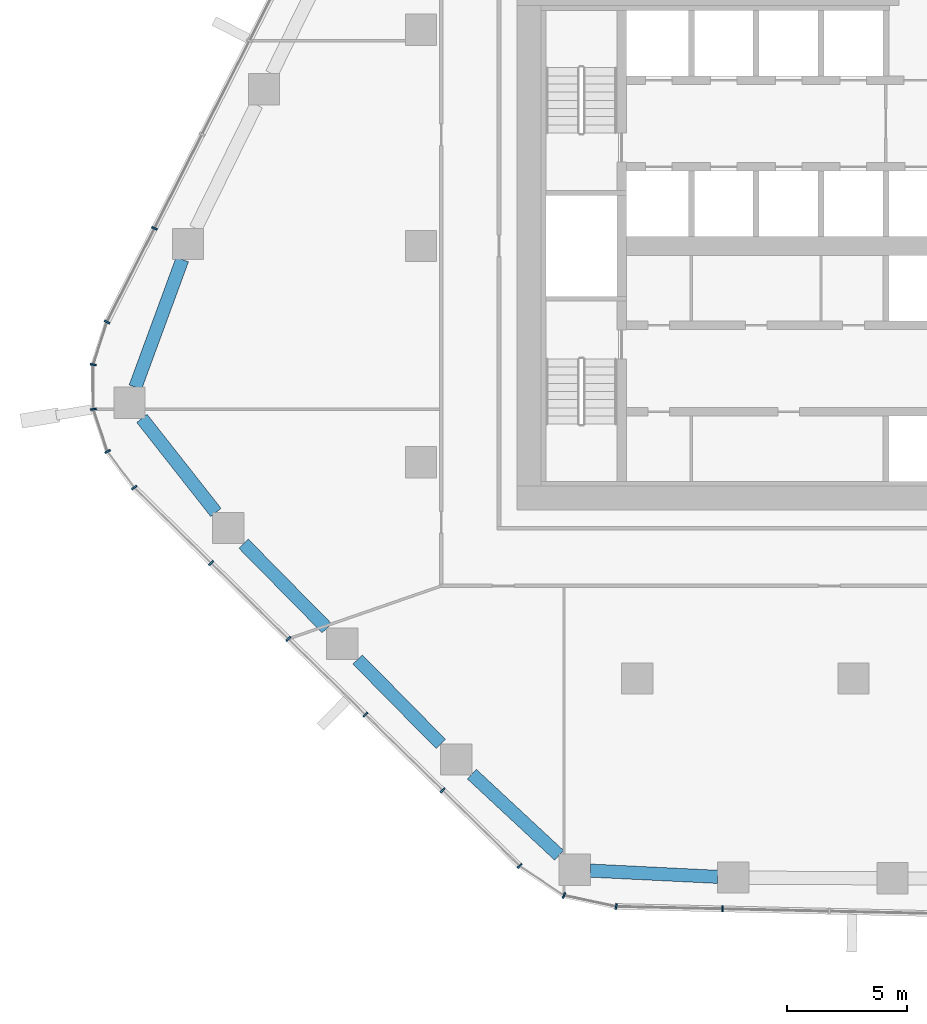
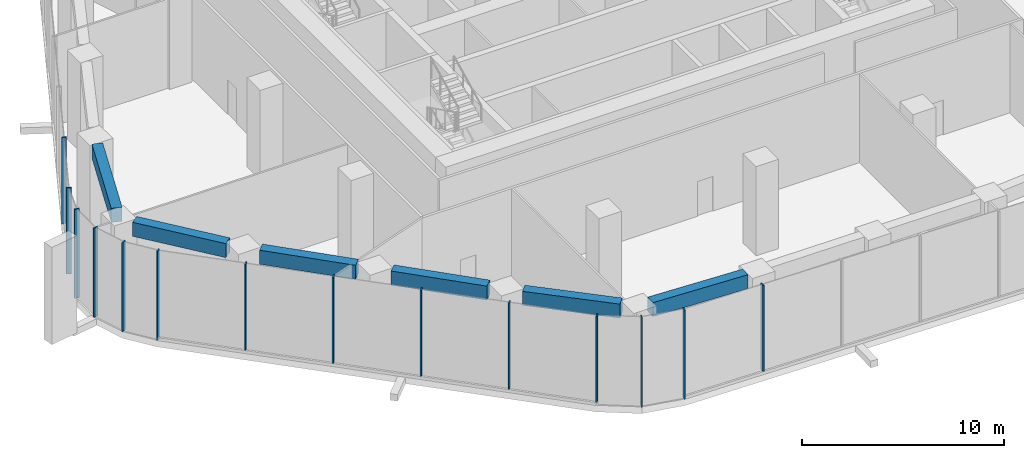
# One storey, part 2 of 18: 14 members, 6 beams, 5 elements without a shape of their own.
"""IFC4 building model written with IfcOpenShell, lengths in metres."""

from ifc_helpers import new_model, si_unit, direction, frame, origin, origin_2d, place, context, subcontext, project, spatial, rectangle, extrude, material, layer, layer_set, material_profile, profile_set, type_object, element, aggregate, save


model = new_model("IFC4")

# Units and contexts
model_context = context("Model", 3, precision=1e-05, world=origin(), true_north=direction((0.0, 1.0)))
body_context = subcontext(model_context, "Body", "Model", "MODEL_VIEW")
ifc_project = project(units=[si_unit("LENGTHUNIT", "METRE"), si_unit("AREAUNIT", "SQUARE_METRE"), si_unit("VOLUMEUNIT", "CUBIC_METRE"), si_unit("PLANEANGLEUNIT", "RADIAN"), si_unit("MASSUNIT", "GRAM", prefix="KILO")], contexts=[model_context])

# Site, building, storey
site_placement = place(None, origin())
site = spatial("IfcSite", under=ifc_project, at=site_placement, CompositionType="ELEMENT")
building_placement = place(site_placement, origin())
building = spatial("IfcBuilding", under=site, at=building_placement, Name="Dongbaek Canopy Tower", CompositionType="ELEMENT")
storey_placement = place(building_placement, frame((0.0, 0.0, 139.60009765625)))
storey = spatial("IfcBuildingStorey", under=building, at=storey_placement, Name="L31", CompositionType="ELEMENT", Elevation=139.60009765625)

# Curtain wall, members
ifc_material_1 = material(Name="Aluminium 6063-T6 pale anodised", Category="aluminium")
ifc_layer = layer(ifc_material_1, 0.25)
ifc_layer_set = layer_set([ifc_layer], Name="CW-4 sky-lobby curtain wall")
curtain_wall_type = type_object("IfcCurtainWallType", Name="CW-4 sky-lobby curtain wall", PredefinedType="NOTDEFINED", material=ifc_layer_set)
curtain_wall_1_placement = place(storey_placement, origin())
curtain_wall_1 = element("IfcCurtainWall", 1, at=curtain_wall_1_placement, inside=storey, type_object=curtain_wall_type, Name="CW-4 curtain wall F2.1", PredefinedType="NOTDEFINED")
ifc_material_2 = material(Name="Aluminium 6063-T6 pale anodised", Category="aluminium")
ifc_material_profile_1 = material_profile(ifc_material_2, rectangle(XDim=0.25, YDim=0.070068359375, at=origin_2d()), Name="CW-4 mullion 70 x 250")
ifc_profile_set_1 = profile_set([ifc_material_profile_1], Name="Aluminium 6063-T6 pale anodised")
member_type = type_object("IfcMemberType", Name="CW-4 mullion 70 x 250", PredefinedType="MULLION", material=ifc_profile_set_1)
member_1_placement = place(storey_placement, frame((-29.09130859375, 0.730712890625, 0.179931640625), z_axis=(0.0, 0.0, 1.0), x_axis=(-0.892010816334, 0.452014052374, 0.0)))
member_1 = element("IfcMember", 2, at=member_1_placement, type_object=member_type, Name="CW-4 mullion F2.1.7", PredefinedType="MULLION", context=body_context, shape_type="SweptSolid", body=[
    extrude(rectangle(XDim=0.25, YDim=0.070068359375, at=origin_2d()), origin(), (0.0, 0.0, 1.0), 5.219970703125),
])
member_2_placement = place(storey_placement, frame((-31.065673828125, -3.165771484375, 0.179931640625), z_axis=(0.0, 0.0, 1.0), x_axis=(-0.892010816334, 0.452014052374, 0.0)))
member_2 = element("IfcMember", 3, at=member_2_placement, type_object=member_type, Name="CW-4 mullion F2.1.8", PredefinedType="MULLION", context=body_context, shape_type="SweptSolid", body=[
    extrude(rectangle(XDim=0.25, YDim=0.070068359375, at=origin_2d()), origin(), (0.0, 0.0, 1.0), 5.219970703125),
])
aggregate(curtain_wall_1, [member_1, member_2])

curtain_wall_2_placement = place(storey_placement, origin())
curtain_wall_2 = element("IfcCurtainWall", 4, at=curtain_wall_2_placement, inside=storey, type_object=curtain_wall_type, Name="CW-4 curtain wall K3.1", PredefinedType="NOTDEFINED")
member_3_placement = place(storey_placement, frame((-31.63623046875, -4.940185546875, 0.0), z_axis=(0.0, 0.0, 1.0), x_axis=(-0.988301624803, 0.152511961538, 0.0)))
member_3 = element("IfcMember", 5, at=member_3_placement, type_object=member_type, Name="CW-4 mullion K3.1.2", PredefinedType="MULLION", context=body_context, shape_type="SweptSolid", body=[
    extrude(rectangle(XDim=0.25, YDim=0.070068359375, at=origin_2d()), origin(), (0.0, 0.0, 1.0), 5.39990234375),
])
member_4_placement = place(storey_placement, frame((-31.627197265625, -6.7958984375, 0.0), z_axis=(0.0, 0.0, 1.0), x_axis=(-0.986776839286, -0.162084760078, 0.0)))
member_4 = element("IfcMember", 6, at=member_4_placement, type_object=member_type, Name="CW-4 mullion K3.1.3", PredefinedType="MULLION", context=body_context, shape_type="SweptSolid", body=[
    extrude(rectangle(XDim=0.25, YDim=0.070068359375, at=origin_2d()), origin(), (0.0, 0.0, 1.0), 5.39990234375),
])
member_5_placement = place(storey_placement, frame((-31.042236328125, -8.556884765625, 0.0), z_axis=(0.0, 0.0, 1.0), x_axis=(-0.887587373023, -0.460639398282, 0.0)))
member_5 = element("IfcMember", 7, at=member_5_placement, type_object=member_type, Name="CW-4 mullion K3.1.4", PredefinedType="MULLION", context=body_context, shape_type="SweptSolid", body=[
    extrude(rectangle(XDim=0.25, YDim=0.070068359375, at=origin_2d()), origin(), (0.0, 0.0, 1.0), 5.39990234375),
])
member_6_placement = place(storey_placement, frame((-29.93408203125, -10.055419921875, 0.0), z_axis=(0.0, 0.0, 1.0), x_axis=(-0.804078974769, -0.594522499436, 0.0)))
member_6 = element("IfcMember", 8, at=member_6_placement, type_object=member_type, Name="CW-4 mullion K3.1.5", PredefinedType="MULLION", context=body_context, shape_type="SweptSolid", body=[
    extrude(rectangle(XDim=0.25, YDim=0.070068359375, at=origin_2d()), origin(), (0.0, 0.0, 1.0), 5.39990234375),
])
aggregate(curtain_wall_2, [member_3, member_4, member_5, member_6])

curtain_wall_3_placement = place(storey_placement, origin())
curtain_wall_3 = element("IfcCurtainWall", 9, at=curtain_wall_3_placement, inside=storey, type_object=curtain_wall_type, Name="CW-4 curtain wall F3.1", PredefinedType="NOTDEFINED")
member_7_placement = place(storey_placement, frame((-26.7294921875, -13.201416015625, 0.179931640625), z_axis=(0.0, 0.0, 1.0), x_axis=(-0.700550346941, -0.713602978834, 0.0)))
member_7 = element("IfcMember", 10, at=member_7_placement, type_object=member_type, Name="CW-4 mullion F3.1.2", PredefinedType="MULLION", context=body_context, shape_type="SweptSolid", body=[
    extrude(rectangle(XDim=0.25, YDim=0.070068359375, at=origin_2d()), origin(), (0.0, 0.0, 1.0), 5.219970703125),
])
member_8_placement = place(storey_placement, frame((-23.519287109375, -16.35302734375, 0.179931640625), z_axis=(0.0, 0.0, 1.0), x_axis=(-0.700550346941, -0.713602978834, 0.0)))
member_8 = element("IfcMember", 11, at=member_8_placement, type_object=member_type, Name="CW-4 mullion F3.1.3", PredefinedType="MULLION", context=body_context, shape_type="SweptSolid", body=[
    extrude(rectangle(XDim=0.25, YDim=0.070068359375, at=origin_2d()), origin(), (0.0, 0.0, 1.0), 5.219970703125),
])
member_9_placement = place(storey_placement, frame((-20.308837890625, -19.504638671875, 0.179931640625), z_axis=(0.0, 0.0, 1.0), x_axis=(-0.700550346941, -0.713602978834, 0.0)))
member_9 = element("IfcMember", 12, at=member_9_placement, type_object=member_type, Name="CW-4 mullion F3.1.4", PredefinedType="MULLION", context=body_context, shape_type="SweptSolid", body=[
    extrude(rectangle(XDim=0.25, YDim=0.070068359375, at=origin_2d()), origin(), (0.0, 0.0, 1.0), 5.219970703125),
])
member_10_placement = place(storey_placement, frame((-17.0986328125, -22.65625, 0.179931640625), z_axis=(0.0, 0.0, 1.0), x_axis=(-0.700550346941, -0.713602978834, 0.0)))
member_10 = element("IfcMember", 13, at=member_10_placement, type_object=member_type, Name="CW-4 mullion F3.1.5", PredefinedType="MULLION", context=body_context, shape_type="SweptSolid", body=[
    extrude(rectangle(XDim=0.25, YDim=0.070068359375, at=origin_2d()), origin(), (0.0, 0.0, 1.0), 5.219970703125),
])
member_11_placement = place(storey_placement, frame((-13.89501953125, -25.801025390625, 0.179931640625), z_axis=(0.0, 0.0, 1.0), x_axis=(-0.700550346941, -0.713602978834, 0.0)))
member_11 = element("IfcMember", 14, at=member_11_placement, type_object=member_type, Name="CW-4 mullion F3.1.6", PredefinedType="MULLION", context=body_context, shape_type="SweptSolid", body=[
    extrude(rectangle(XDim=0.25, YDim=0.070068359375, at=origin_2d()), origin(), (0.0, 0.0, 1.0), 5.219970703125),
])
aggregate(curtain_wall_3, [member_7, member_8, member_9, member_10, member_11])

curtain_wall_4_placement = place(storey_placement, origin())
curtain_wall_4 = element("IfcCurtainWall", 15, at=curtain_wall_4_placement, inside=storey, type_object=curtain_wall_type, Name="CW-4 curtain wall K4.1", PredefinedType="NOTDEFINED")
member_12_placement = place(storey_placement, frame((-12.04736328125, -27.031982421875, 0.0), z_axis=(0.0, 0.0, 1.0), x_axis=(-0.388641039896, -0.921389245709, 0.0)))
member_12 = element("IfcMember", 16, at=member_12_placement, type_object=member_type, Name="CW-4 mullion K4.1.2", PredefinedType="MULLION", context=body_context, shape_type="SweptSolid", body=[
    extrude(rectangle(XDim=0.25, YDim=0.070068359375, at=origin_2d()), origin(), (0.0, 0.0, 1.0), 5.39990234375),
])
member_13_placement = place(storey_placement, frame((-9.876220703125, -27.496337890625, 0.0), z_axis=(0.0, 0.0, 1.0), x_axis=(-0.209095703653, -0.977895181865, 0.0)))
member_13 = element("IfcMember", 17, at=member_13_placement, type_object=member_type, Name="CW-4 mullion K4.1.3", PredefinedType="MULLION", context=body_context, shape_type="SweptSolid", body=[
    extrude(rectangle(XDim=0.25, YDim=0.070068359375, at=origin_2d()), origin(), (0.0, 0.0, 1.0), 5.39990234375),
])
aggregate(curtain_wall_4, [member_12, member_13])

# Curtain wall, member
curtain_wall_5_placement = place(storey_placement, origin())
curtain_wall_5 = element("IfcCurtainWall", 18, at=curtain_wall_5_placement, inside=storey, type_object=curtain_wall_type, Name="CW-4 curtain wall F4.1", PredefinedType="NOTDEFINED")
member_14_placement = place(storey_placement, frame((-5.447265625, -27.59423828125, 0.179931640625), z_axis=(0.0, 0.0, 1.0), x_axis=(-0.022142221927, -0.99975483095, 0.0)))
member_14 = element("IfcMember", 19, at=member_14_placement, type_object=member_type, Name="CW-4 mullion F4.1.2", PredefinedType="MULLION", context=body_context, shape_type="SweptSolid", body=[
    extrude(rectangle(XDim=0.25, YDim=0.070068359375, at=origin_2d()), origin(), (0.0, 0.0, 1.0), 5.219970703125),
])
aggregate(curtain_wall_5, [member_14])

# Beams
ifc_material_3 = material(Name="Concrete C80", Category="concrete")
ifc_material_profile_2 = material_profile(ifc_material_3, rectangle(XDim=0.550048828125, YDim=0.85009765625, at=origin_2d()), Name="RC EDGE BEAM 550x850 C80")
ifc_profile_set_2 = profile_set([ifc_material_profile_2], Name="Concrete C80")
beam_type = type_object("IfcBeamType", Name="RC EDGE BEAM 550x850 C80", PredefinedType="BEAM", material=ifc_profile_set_2)
beam_1_placement = place(storey_placement, frame((-5.64990234375, -26.258056640625, 4.974853515625), z_axis=(-0.998796128786, 0.049053981722, 0.0), x_axis=(-0.049053981722, -0.998796128786, 0.0)))
element("IfcBeam", 20, at=beam_1_placement, inside=storey, type_object=beam_type, Name="EDGEBEAM:L31:03", PredefinedType="BEAM", context=body_context, shape_type="SweptSolid", body=[
    extrude(rectangle(XDim=0.550048828125, YDim=0.85009765625, at=origin_2d()), origin(), (0.0, 0.0, 1.0), 5.305419921875),
])
beam_2_placement = place(storey_placement, frame((-12.2490234375, -25.361328125, 4.974853515625), z_axis=(-0.732272884801, 0.681011323097, 0.0), x_axis=(-0.681011323097, -0.732272884801, 0.0)))
element("IfcBeam", 21, at=beam_2_placement, inside=storey, type_object=beam_type, Name="EDGEBEAM:L31:04", PredefinedType="BEAM", context=body_context, shape_type="SweptSolid", body=[
    extrude(rectangle(XDim=0.550048828125, YDim=0.85009765625, at=origin_2d()), origin(), (0.0, 0.0, 1.0), 4.962646484375),
])
beam_3_placement = place(storey_placement, frame((-17.173095703125, -20.72705078125, 4.974853515625), z_axis=(-0.701695422573, 0.712477040992, 0.0), x_axis=(-0.712477040992, -0.701695422573, 0.0)))
element("IfcBeam", 22, at=beam_3_placement, inside=storey, type_object=beam_type, Name="EDGEBEAM:L31:05", PredefinedType="BEAM", context=body_context, shape_type="SweptSolid", body=[
    extrude(rectangle(XDim=0.550048828125, YDim=0.85009765625, at=origin_2d()), origin(), (0.0, 0.0, 1.0), 4.9365234375),
])
beam_4_placement = place(storey_placement, frame((-21.9169921875, -15.909912109375, 4.974853515625), z_axis=(-0.70172014863, 0.712452688259, 0.0), x_axis=(-0.712452688259, -0.70172014863, 0.0)))
element("IfcBeam", 23, at=beam_4_placement, inside=storey, type_object=beam_type, Name="EDGEBEAM:L31:06", PredefinedType="BEAM", context=body_context, shape_type="SweptSolid", body=[
    extrude(rectangle(XDim=0.550048828125, YDim=0.85009765625, at=origin_2d()), origin(), (0.0, 0.0, 1.0), 4.936279296875),
])
beam_5_placement = place(storey_placement, frame((-26.532470703125, -11.093017578125, 4.974853515625), z_axis=(-0.618340753303, 0.78591011751, 0.0), x_axis=(-0.78591011751, -0.618340753303, 0.0)))
element("IfcBeam", 24, at=beam_5_placement, inside=storey, type_object=beam_type, Name="EDGEBEAM:L31:07", PredefinedType="BEAM", context=body_context, shape_type="SweptSolid", body=[
    extrude(rectangle(XDim=0.550048828125, YDim=0.85009765625, at=origin_2d()), origin(), (0.0, 0.0, 1.0), 4.982666015625),
])
beam_6_placement = place(storey_placement, frame((-29.8857421875, -5.876953125, 4.974853515625), z_axis=(0.345281407117, 0.938499200799, 0.0), x_axis=(-0.938499200799, 0.345281407117, 0.0)))
element("IfcBeam", 25, at=beam_6_placement, inside=storey, type_object=beam_type, Name="EDGEBEAM:L31:08", PredefinedType="BEAM", context=body_context, shape_type="SweptSolid", body=[
    extrude(rectangle(XDim=0.550048828125, YDim=0.85009765625, at=origin_2d()), origin(), (0.0, 0.0, 1.0), 5.657958984375),
])

save(model, "model.ifc")
